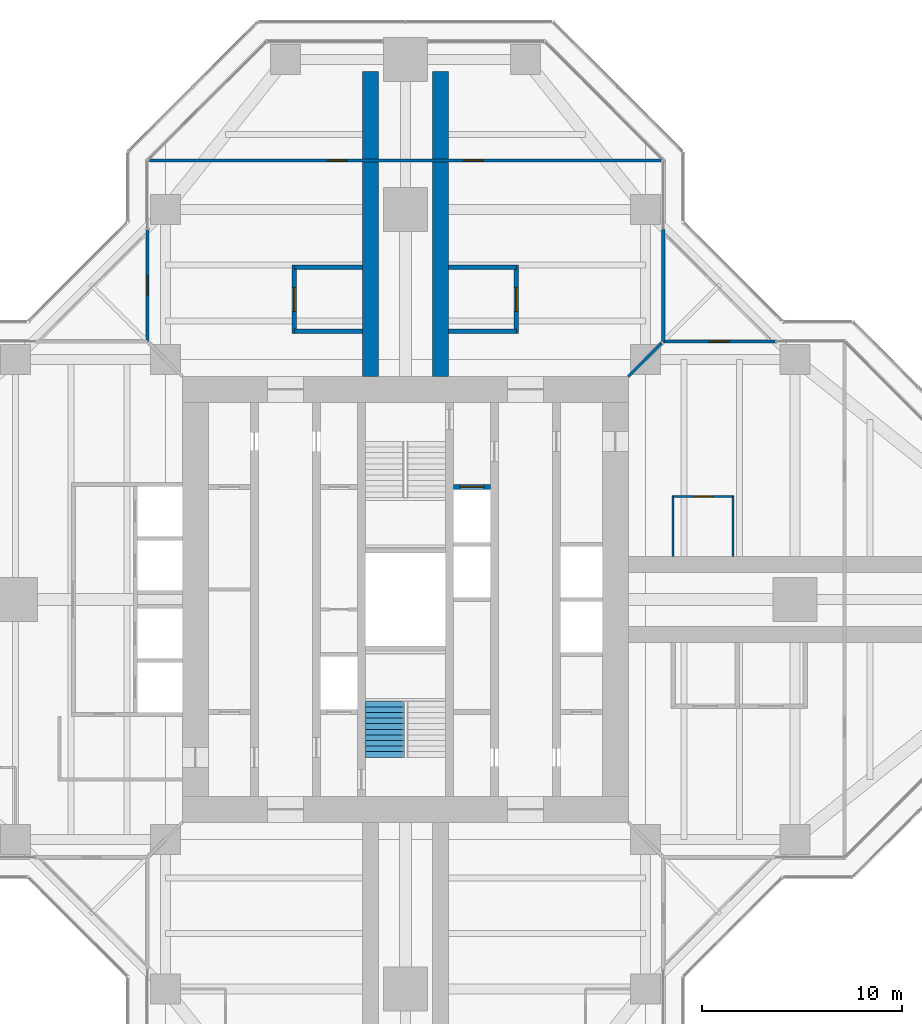
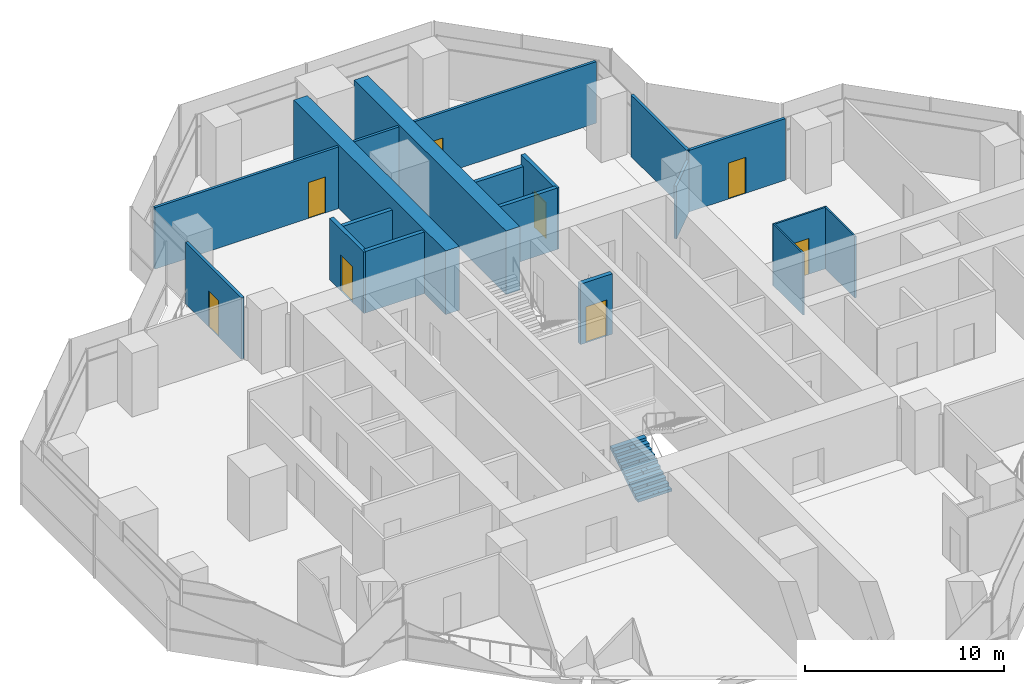
# One storey, part 15 of 17: 17 walls, 8 doors, 1 stair flight, 8 openings, 1 element without a shape of its own.
"""IFC4 building model written with IfcOpenShell, lengths in metres."""

from ifc_helpers import new_model, si_unit, direction, frame, frame_2d, origin, place, context, subcontext, project, spatial, polyline, rectangle, outline, extrude, material, layer, layer_set, type_object, element, fill, aggregate, save


model = new_model("IFC4")

# Units and contexts
model_context = context("Model", 3, precision=1e-05, world=origin(), true_north=direction((0.0, 1.0)))
body_context = subcontext(model_context, "Body", "Model", "MODEL_VIEW")
ifc_project = project(units=[si_unit("LENGTHUNIT", "METRE"), si_unit("AREAUNIT", "SQUARE_METRE"), si_unit("VOLUMEUNIT", "CUBIC_METRE"), si_unit("PLANEANGLEUNIT", "RADIAN"), si_unit("MASSUNIT", "GRAM", prefix="KILO")], contexts=[model_context])

# Site, building, storey
site_placement = place(None, origin())
site = spatial("IfcSite", under=ifc_project, at=site_placement, CompositionType="ELEMENT")
building_placement = place(site_placement, origin())
building = spatial("IfcBuilding", under=site, at=building_placement, Name="Mizan Broadcast Tower", CompositionType="ELEMENT")
storey_placement = place(building_placement, frame((0.0, 0.0, 232.199951171875)))
storey = spatial("IfcBuildingStorey", under=building, at=storey_placement, Name="L54", CompositionType="ELEMENT", Elevation=232.199951171875)

# Wall, opening, door
ifc_material_1 = material(Name="Aluminium framed glazed screen", Category="aluminium")
ifc_layer_1 = layer(ifc_material_1, 0.159912109375)
ifc_layer_set_1 = layer_set([ifc_layer_1], Name="Aluminium framed glazed screen")
wall_type_1 = type_object("IfcWallType", Name="GLAZED SCREEN WALL 160", PredefinedType="SOLIDWALL", material=ifc_layer_set_1)
wall_1_placement = place(storey_placement, frame((18.5, 12.89990234375, 0.0), z_axis=(0.0, 0.0, 1.0), x_axis=(-1.0, 0.0, 0.0)))
wall_1 = element("IfcWall", 1, at=wall_1_placement, inside=storey, type_object=wall_type_1, Name="Winter garden screen L54 E", PredefinedType="SOLIDWALL", context=body_context, shape_type="SweptSolid", body=[
    extrude(rectangle(XDim=5.60009765625, YDim=0.159912109375, at=frame_2d((2.800048828125, 0.0))), origin(), (0.0, 0.0, 1.0), 3.77001953125),
])
opening_1_placement = place(wall_1_placement, frame((2.300048828125, 0.0, 0.0)))
opening_1 = element("IfcOpeningElement", 2, at=opening_1_placement, cuts=wall_1, Name="Opening WGD", PredefinedType="OPENING", context=body_context, shape_type="SweptSolid", body=[
    extrude(rectangle(XDim=1.0, YDim=2.199951171875, at=frame_2d((0.5, 1.10009765625))), frame((0.0, 0.08984375, 0.0), z_axis=(0.0, -1.0, 0.0), x_axis=(1.0, 0.0, 0.0)), (0.0, 0.0, 1.0), 0.179931640625),
])
ifc_material_2 = material(Name="Aluminium framed glazed door", Category="aluminium")
door_type_1 = type_object("IfcDoorType", Name="WINTER GARDEN DOOR 1000 GLAZED", OperationType="SINGLE_SWING_LEFT", PredefinedType="DOOR", material=ifc_material_2)
door_1_placement = place(opening_1_placement, origin())
door_1 = element("IfcDoor", 3, at=door_1_placement, inside=storey, type_object=door_type_1, Name="Winter garden door L54 E", OperationType="SINGLE_SWING_RIGHT", OverallHeight=2.199951171875, OverallWidth=1.0, PredefinedType="DOOR", context=body_context, shape_type="SweptSolid", body=[
    extrude(rectangle(XDim=1.0, YDim=2.199951171875, at=frame_2d((0.5, 1.10009765625))), frame((0.0, 0.02490234375, 0.0), z_axis=(0.0, -1.0, 0.0), x_axis=(1.0, 0.0, 0.0)), (0.0, 0.0, 1.0), 0.050048828125),
])
fill(opening_1, door_1)

# Wall
wall_2_placement = place(storey_placement, frame((12.89990234375, 12.89990234375, 0.0), z_axis=(0.0, 0.0, 1.0), x_axis=(0.0, 1.0, 0.0)))
element("IfcWall", 4, at=wall_2_placement, inside=storey, type_object=wall_type_1, Name="Winter garden screen L54 N", PredefinedType="SOLIDWALL", context=body_context, shape_type="SweptSolid", body=[
    extrude(rectangle(XDim=5.60009765625, YDim=0.159912109375, at=frame_2d((2.800048828125, 0.0))), origin(), (0.0, 0.0, 1.0), 3.77001953125),
])

# Wall, opening, door
wall_3_placement = place(storey_placement, frame((-12.89990234375, 18.5, 0.0), z_axis=(0.0, 0.0, 1.0), x_axis=(0.0, -1.0, 0.0)))
wall_3 = element("IfcWall", 5, at=wall_3_placement, inside=storey, type_object=wall_type_1, Name="Winter garden screen L54 N", PredefinedType="SOLIDWALL", context=body_context, shape_type="SweptSolid", body=[
    extrude(rectangle(XDim=5.60009765625, YDim=0.159912109375, at=frame_2d((2.800048828125, 0.0))), origin(), (0.0, 0.0, 1.0), 3.77001953125),
])
opening_2_placement = place(wall_3_placement, frame((2.300048828125, 0.0, 0.0)))
opening_2 = element("IfcOpeningElement", 6, at=opening_2_placement, cuts=wall_3, Name="Opening WGD", PredefinedType="OPENING", context=body_context, shape_type="SweptSolid", body=[
    extrude(rectangle(XDim=1.0, YDim=2.199951171875, at=frame_2d((0.5, 1.10009765625))), frame((0.0, 0.08984375, 0.0), z_axis=(0.0, -1.0, 0.0), x_axis=(1.0, 0.0, 0.0)), (0.0, 0.0, 1.0), 0.179931640625),
])
door_2_placement = place(opening_2_placement, origin())
door_2 = element("IfcDoor", 7, at=door_2_placement, inside=storey, type_object=door_type_1, Name="Winter garden door L54 N", OperationType="SINGLE_SWING_RIGHT", OverallHeight=2.199951171875, OverallWidth=1.0, PredefinedType="DOOR", context=body_context, shape_type="SweptSolid", body=[
    extrude(rectangle(XDim=1.0, YDim=2.199951171875, at=frame_2d((0.5, 1.10009765625))), frame((0.0, 0.02490234375, 0.0), z_axis=(0.0, -1.0, 0.0), x_axis=(1.0, 0.0, 0.0)), (0.0, 0.0, 1.0), 0.050048828125),
])
fill(opening_2, door_2)

ifc_material_3 = material(Name="Concrete blockwork", Category="masonry")
ifc_layer_2 = layer(ifc_material_3, 0.25)
ifc_layer_set_2 = layer_set([ifc_layer_2], Name="Concrete blockwork")
wall_type_2 = type_object("IfcWallType", Name="LOBBY ENCLOSURE WALL 250", PredefinedType="SOLIDWALL", material=ifc_layer_set_2)
wall_4_placement = place(storey_placement, frame((2.39990234375, 5.625, 0.0), z_axis=(0.0, 0.0, 1.0), x_axis=(1.0, 0.0, 0.0)))
wall_4 = element("IfcWall", 8, at=wall_4_placement, inside=storey, type_object=wall_type_2, Name="Lobby enclosure wall CORE/BE2N", PredefinedType="SOLIDWALL", context=body_context, shape_type="SweptSolid", body=[
    extrude(rectangle(XDim=1.85009765625, YDim=0.25, at=frame_2d((0.925048828125, 0.0))), origin(), (0.0, 0.0, 1.0), 3.699951171875),
])
opening_3_placement = place(wall_4_placement, frame((0.324951171875, 0.0, 0.0)))
opening_3 = element("IfcOpeningElement", 9, at=opening_3_placement, cuts=wall_4, Name="Opening LDF", PredefinedType="OPENING", context=body_context, shape_type="SweptSolid", body=[
    extrude(rectangle(XDim=1.199951171875, YDim=2.199951171875, at=frame_2d((0.60009765625, 1.10009765625))), frame((0.0, 0.135009765625, 0.0), z_axis=(0.0, -1.0, 0.0), x_axis=(1.0, 0.0, 0.0)), (0.0, 0.0, 1.0), 0.27001953125),
])
ifc_material_4 = material(Name="Steel door leaf in steel frame", Category="steel")
door_type_2 = type_object("IfcDoorType", Name="FIREFIGHTING LIFT LANDING DOOR 1200", OperationType="SLIDING_TO_LEFT", PredefinedType="DOOR", material=ifc_material_4)
door_3_placement = place(opening_3_placement, origin())
door_3 = element("IfcDoor", 10, at=door_3_placement, inside=storey, type_object=door_type_2, Name="Landing door FF2", OperationType="SLIDING_TO_LEFT", OverallHeight=2.199951171875, OverallWidth=1.199951171875, PredefinedType="DOOR", context=body_context, shape_type="SweptSolid", body=[
    extrude(rectangle(XDim=1.199951171875, YDim=2.199951171875, at=frame_2d((0.60009765625, 1.10009765625))), frame((0.0, 0.02490234375, 0.0), z_axis=(0.0, -1.0, 0.0), x_axis=(1.0, 0.0, 0.0)), (0.0, 0.0, 1.0), 0.050048828125),
])
fill(opening_3, door_3)

# Wall, openings, doors
ifc_material_5 = material(Name="Gypsum board on steel studs", Category="steel")
ifc_layer_3 = layer(ifc_material_5, 0.14990234375)
ifc_layer_set_3 = layer_set([ifc_layer_3], Name="Gypsum board on steel studs")
wall_type_3 = type_object("IfcWallType", Name="PARTITION 150", PredefinedType="PARTITIONING", material=ifc_layer_set_3)
wall_5_placement = place(storey_placement, frame((12.786376953125, 21.958984375, 0.0), z_axis=(0.0, 0.0, 1.0), x_axis=(-1.0, 0.0, 0.0)))
wall_5 = element("IfcWall", 11, at=wall_5_placement, inside=storey, type_object=wall_type_3, Name="Partition PT/NX1", PredefinedType="PARTITIONING", context=body_context, shape_type="SweptSolid", body=[
    extrude(rectangle(XDim=25.57275390625, YDim=0.14990234375, at=frame_2d((12.786376953125, 0.0))), origin(), (0.0, 0.0, 1.0), 3.77001953125),
])
opening_4_placement = place(wall_5_placement, frame((15.6865234375, 0.0, 0.0)))
opening_4 = element("IfcOpeningElement", 12, at=opening_4_placement, cuts=wall_5, Name="Opening D10", PredefinedType="OPENING", context=body_context, shape_type="SweptSolid", body=[
    extrude(rectangle(XDim=1.0, YDim=2.199951171875, at=frame_2d((0.5, 1.10009765625))), frame((0.0, 0.0849609375, 0.0), z_axis=(0.0, -1.0, 0.0), x_axis=(1.0, 0.0, 0.0)), (0.0, 0.0, 1.0), 0.169921875),
])
opening_5_placement = place(wall_5_placement, frame((8.886474609375, 0.0, 0.0)))
opening_5 = element("IfcOpeningElement", 13, at=opening_5_placement, cuts=wall_5, Name="Opening D10", PredefinedType="OPENING", context=body_context, shape_type="SweptSolid", body=[
    extrude(rectangle(XDim=1.0, YDim=2.199951171875, at=frame_2d((0.5, 1.10009765625))), frame((0.0, 0.0849609375, 0.0), z_axis=(0.0, -1.0, 0.0), x_axis=(1.0, 0.0, 0.0)), (0.0, 0.0, 1.0), 0.169921875),
])
ifc_material_6 = material(Name="Timber door leaf in aluminium frame", Category="wood")
door_type_3 = type_object("IfcDoorType", Name="ROOM DOOR 1000", OperationType="SINGLE_SWING_LEFT", PredefinedType="DOOR", material=ifc_material_6)
door_4_placement = place(opening_4_placement, origin())
door_4 = element("IfcDoor", 14, at=door_4_placement, inside=storey, type_object=door_type_3, Name="Screening room door", OperationType="SINGLE_SWING_RIGHT", OverallHeight=2.199951171875, OverallWidth=1.0, PredefinedType="DOOR", context=body_context, shape_type="SweptSolid", body=[
    extrude(rectangle(XDim=1.0, YDim=2.199951171875, at=frame_2d((0.5, 1.10009765625))), frame((0.0, 0.02490234375, 0.0), z_axis=(0.0, -1.0, 0.0), x_axis=(1.0, 0.0, 0.0)), (0.0, 0.0, 1.0), 0.050048828125),
])
fill(opening_4, door_4)
door_5_placement = place(opening_5_placement, origin())
door_5 = element("IfcDoor", 15, at=door_5_placement, inside=storey, type_object=door_type_3, Name="Screening room door", OperationType="SINGLE_SWING_LEFT", OverallHeight=2.199951171875, OverallWidth=1.0, PredefinedType="DOOR", context=body_context, shape_type="SweptSolid", body=[
    extrude(rectangle(XDim=1.0, YDim=2.199951171875, at=frame_2d((0.5, 1.10009765625))), frame((0.0, 0.02490234375, 0.0), z_axis=(0.0, -1.0, 0.0), x_axis=(1.0, 0.0, 0.0)), (0.0, 0.0, 1.0), 0.050048828125),
])
fill(opening_5, door_5)

# Walls
wall_6_placement = place(storey_placement, frame((11.14990234375, 11.14990234375, 0.0), z_axis=(0.0, 0.0, 1.0), x_axis=(0.707106781187, 0.707106781187, 0.0)))
element("IfcWall", 16, at=wall_6_placement, inside=storey, type_object=wall_type_3, Name="Partition PT/DGEN", PredefinedType="PARTITIONING", context=body_context, shape_type="SweptSolid", body=[
    extrude(rectangle(XDim=2.362060546875, YDim=0.14990234375, at=frame_2d((1.18115234375, 0.0))), origin(), (0.0, 0.0, 1.0), 3.219970703125),
])
ifc_material_7 = material(Name="Twin steel stud acoustic partition, four layers of gypsum board", Category="steel")
ifc_layer_4 = layer(ifc_material_7, 0.22509765625)
ifc_layer_set_4 = layer_set([ifc_layer_4], Name="Twin steel stud acoustic partition, four layers of gypsum board")
wall_type_4 = type_object("IfcWallType", Name="PARTITION ACOUSTIC 225", PredefinedType="PARTITIONING", material=ifc_layer_set_4)
wall_7_placement = place(storey_placement, frame((-2.14990234375, 13.39990234375, 0.0), z_axis=(0.0, 0.0, 1.0), x_axis=(-1.0, 0.0, 0.0)))
element("IfcWall", 17, at=wall_7_placement, inside=storey, type_object=wall_type_4, Name="Acoustic partition PT/NKP0a", PredefinedType="PARTITIONING", context=body_context, shape_type="SweptSolid", body=[
    extrude(rectangle(XDim=3.400146484375, YDim=0.22509765625, at=frame_2d((1.7001953125, 0.0))), origin(), (0.0, 0.0, 1.0), 3.77001953125),
])
wall_8_placement = place(storey_placement, frame((-2.14990234375, 16.60009765625, 0.0), z_axis=(0.0, 0.0, 1.0), x_axis=(-1.0, 0.0, 0.0)))
element("IfcWall", 18, at=wall_8_placement, inside=storey, type_object=wall_type_4, Name="Acoustic partition PT/NKP0b", PredefinedType="PARTITIONING", context=body_context, shape_type="SweptSolid", body=[
    extrude(rectangle(XDim=3.400146484375, YDim=0.22509765625, at=frame_2d((1.7001953125, 0.0))), origin(), (0.0, 0.0, 1.0), 3.179931640625),
])

# Wall, opening, door
wall_9_placement = place(storey_placement, frame((-5.550048828125, 13.28759765625, 0.0), z_axis=(0.0, 0.0, 1.0), x_axis=(0.0, 1.0, 0.0)))
wall_9 = element("IfcWall", 19, at=wall_9_placement, inside=storey, type_object=wall_type_4, Name="Acoustic partition PT/NKP0f", PredefinedType="PARTITIONING", context=body_context, shape_type="SweptSolid", body=[
    extrude(rectangle(XDim=3.4248046875, YDim=0.22509765625, at=frame_2d((1.71240234375, 0.0))), origin(), (0.0, 0.0, 1.0), 3.77001953125),
])
opening_6_placement = place(wall_9_placement, frame((1.112548828125, 0.0, 0.0)))
opening_6 = element("IfcOpeningElement", 20, at=opening_6_placement, cuts=wall_9, Name="Opening D12A", PredefinedType="OPENING", context=body_context, shape_type="SweptSolid", body=[
    extrude(rectangle(XDim=1.199951171875, YDim=2.199951171875, at=frame_2d((0.60009765625, 1.10009765625))), frame((0.0, 0.12255859375, 0.0), z_axis=(0.0, -1.0, 0.0), x_axis=(1.0, 0.0, 0.0)), (0.0, 0.0, 1.0), 0.2451171875),
])
ifc_material_8 = material(Name="Timber door leaf in aluminium frame", Category="wood")
door_type_4 = type_object("IfcDoorType", Name="ACOUSTIC DOOR 1200", OperationType="SINGLE_SWING_LEFT", PredefinedType="DOOR", material=ifc_material_8)
door_6_placement = place(opening_6_placement, origin())
door_6 = element("IfcDoor", 21, at=door_6_placement, inside=storey, type_object=door_type_4, Name="Edit suite door", OperationType="SINGLE_SWING_LEFT", OverallHeight=2.199951171875, OverallWidth=1.199951171875, PredefinedType="DOOR", context=body_context, shape_type="SweptSolid", body=[
    extrude(rectangle(XDim=1.199951171875, YDim=2.199951171875, at=frame_2d((0.60009765625, 1.10009765625))), frame((0.0, 0.02490234375, 0.0), z_axis=(0.0, -1.0, 0.0), x_axis=(1.0, 0.0, 0.0)), (0.0, 0.0, 1.0), 0.050048828125),
])
fill(opening_6, door_6)

# Walls
wall_10_placement = place(storey_placement, frame((2.14990234375, 13.39990234375, 0.0), z_axis=(0.0, 0.0, 1.0), x_axis=(1.0, 0.0, 0.0)))
element("IfcWall", 22, at=wall_10_placement, inside=storey, type_object=wall_type_4, Name="Acoustic partition PT/NKN0a", PredefinedType="PARTITIONING", context=body_context, shape_type="SweptSolid", body=[
    extrude(rectangle(XDim=3.400146484375, YDim=0.22509765625, at=frame_2d((1.7001953125, 0.0))), origin(), (0.0, 0.0, 1.0), 3.77001953125),
])
wall_11_placement = place(storey_placement, frame((2.14990234375, 16.60009765625, 0.0), z_axis=(0.0, 0.0, 1.0), x_axis=(1.0, 0.0, 0.0)))
element("IfcWall", 23, at=wall_11_placement, inside=storey, type_object=wall_type_4, Name="Acoustic partition PT/NKN0b", PredefinedType="PARTITIONING", context=body_context, shape_type="SweptSolid", body=[
    extrude(rectangle(XDim=3.400146484375, YDim=0.22509765625, at=frame_2d((1.7001953125, 0.0))), origin(), (0.0, 0.0, 1.0), 3.179931640625),
])

# Wall, opening, door
wall_12_placement = place(storey_placement, frame((5.550048828125, 13.28759765625, 0.0), z_axis=(0.0, 0.0, 1.0), x_axis=(0.0, 1.0, 0.0)))
wall_12 = element("IfcWall", 24, at=wall_12_placement, inside=storey, type_object=wall_type_4, Name="Acoustic partition PT/NKN0f", PredefinedType="PARTITIONING", context=body_context, shape_type="SweptSolid", body=[
    extrude(rectangle(XDim=3.4248046875, YDim=0.22509765625, at=frame_2d((1.71240234375, 0.0))), origin(), (0.0, 0.0, 1.0), 3.77001953125),
])
opening_7_placement = place(wall_12_placement, frame((1.112548828125, 0.0, 0.0)))
opening_7 = element("IfcOpeningElement", 25, at=opening_7_placement, cuts=wall_12, Name="Opening D12A", PredefinedType="OPENING", context=body_context, shape_type="SweptSolid", body=[
    extrude(rectangle(XDim=1.199951171875, YDim=2.199951171875, at=frame_2d((0.60009765625, 1.10009765625))), frame((0.0, 0.12255859375, 0.0), z_axis=(0.0, -1.0, 0.0), x_axis=(1.0, 0.0, 0.0)), (0.0, 0.0, 1.0), 0.2451171875),
])
door_7_placement = place(opening_7_placement, origin())
door_7 = element("IfcDoor", 26, at=door_7_placement, inside=storey, type_object=door_type_4, Name="Edit suite door", OperationType="SINGLE_SWING_LEFT", OverallHeight=2.199951171875, OverallWidth=1.199951171875, PredefinedType="DOOR", context=body_context, shape_type="SweptSolid", body=[
    extrude(rectangle(XDim=1.199951171875, YDim=2.199951171875, at=frame_2d((0.60009765625, 1.10009765625))), frame((0.0, 0.02490234375, 0.0), z_axis=(0.0, -1.0, 0.0), x_axis=(1.0, 0.0, 0.0)), (0.0, 0.0, 1.0), 0.050048828125),
])
fill(opening_7, door_7)

# Walls
ifc_material_9 = material(Name="Glazed aluminium partition on aluminium track", Category="aluminium")
ifc_layer_5 = layer(ifc_material_9, 0.10009765625)
ifc_layer_set_5 = layer_set([ifc_layer_5], Name="Glazed aluminium partition on aluminium track")
wall_type_5 = type_object("IfcWallType", Name="PARTITION GLAZED OFFICE FRONT 100", PredefinedType="PARTITIONING", material=ifc_layer_set_5)
for number, where, z_axis, x_axis, name in (
    (27, (13.39990234375, 2.14990234375, 0.0), (0.0, 0.0, 1.0), (0.0, 1.0, 0.0), "Glazed office front PT/EKP0a"),
    (28, (16.39990234375, 2.14990234375, 0.0), (0.0, 0.0, 1.0), (0.0, 1.0, 0.0), "Glazed office front PT/EKP0b"),
):
    element("IfcWall", number, at=place(storey_placement, frame(where, z_axis=z_axis, x_axis=x_axis)), inside=storey, type_object=wall_type_5, Name=name, PredefinedType="PARTITIONING", context=body_context, shape_type="SweptSolid", body=[
        extrude(rectangle(XDim=3.0, YDim=0.10009765625, at=frame_2d((1.5, 0.0))), origin(), (0.0, 0.0, 1.0), 3.77001953125),
    ])

# Wall, opening, door
wall_13_placement = place(storey_placement, frame((13.35009765625, 5.14990234375, 0.0), z_axis=(0.0, 0.0, 1.0), x_axis=(1.0, 0.0, 0.0)))
wall_13 = element("IfcWall", 29, at=wall_13_placement, inside=storey, type_object=wall_type_5, Name="Glazed office front PT/EKP0f", PredefinedType="PARTITIONING", context=body_context, shape_type="SweptSolid", body=[
    extrude(rectangle(XDim=3.099853515625, YDim=0.10009765625, at=frame_2d((1.5498046875, 0.0))), origin(), (0.0, 0.0, 1.0), 3.77001953125),
])
opening_8_placement = place(wall_13_placement, frame((1.050048828125, 0.0, 0.0)))
opening_8 = element("IfcOpeningElement", 30, at=opening_8_placement, cuts=wall_13, Name="Opening D10O", PredefinedType="OPENING", context=body_context, shape_type="SweptSolid", body=[
    extrude(rectangle(XDim=1.0, YDim=2.199951171875, at=frame_2d((0.5, 1.10009765625))), frame((0.0, 0.06005859375, 0.0), z_axis=(0.0, -1.0, 0.0), x_axis=(1.0, 0.0, 0.0)), (0.0, 0.0, 1.0), 0.1201171875),
])
ifc_material_10 = material(Name="Timber door leaf in aluminium frame", Category="wood")
door_type_5 = type_object("IfcDoorType", Name="OFFICE DOOR 1000 GLAZED", OperationType="SINGLE_SWING_LEFT", PredefinedType="DOOR", material=ifc_material_10)
door_8_placement = place(opening_8_placement, origin())
door_8 = element("IfcDoor", 31, at=door_8_placement, inside=storey, type_object=door_type_5, Name="Pantry door", OperationType="SINGLE_SWING_LEFT", OverallHeight=2.199951171875, OverallWidth=1.0, PredefinedType="DOOR", context=body_context, shape_type="SweptSolid", body=[
    extrude(rectangle(XDim=1.0, YDim=2.199951171875, at=frame_2d((0.5, 1.10009765625))), frame((0.0, 0.02490234375, 0.0), z_axis=(0.0, -1.0, 0.0), x_axis=(1.0, 0.0, 0.0)), (0.0, 0.0, 1.0), 0.050048828125),
])
fill(opening_8, door_8)

# Walls
ifc_material_11 = material(Name="Concrete C70/85", Category="concrete")
ifc_layer_6 = layer(ifc_material_11, 0.800048828125)
ifc_layer_set_6 = layer_set([ifc_layer_6], Name="Concrete C70/85")
wall_type_6 = type_object("IfcWallType", Name="SPINE WALL 800", PredefinedType="SHEAR", material=ifc_layer_set_6)
for number, where, z_axis, x_axis, name in (
    (32, (1.75, 11.14990234375, 0.0), (0.0, 0.0, 1.0), (0.0, 1.0, 0.0), "Spine wall NR L54"),
    (33, (-1.75, 11.14990234375, 0.0), (0.0, 0.0, 1.0), (0.0, 1.0, 0.0), "Spine wall NL L54"),
):
    element("IfcWall", number, at=place(storey_placement, frame(where, z_axis=z_axis, x_axis=x_axis)), inside=storey, type_object=wall_type_6, Name=name, PredefinedType="SHEAR", context=body_context, shape_type="SweptSolid", body=[
        extrude(rectangle(XDim=15.25, YDim=0.800048828125, at=frame_2d((7.625, 0.0))), origin(), (0.0, 0.0, 1.0), 3.900146484375),
    ])

# Stair, stair flight
ifc_material_12 = material(Name="Concrete C40/50", Category="concrete")
stair_type = type_object("IfcStairType", Name="EXIT STAIR", PredefinedType="HALF_TURN_STAIR", material=ifc_material_12)
stair_placement = place(storey_placement, origin())
stair = element("IfcStair", 34, at=stair_placement, inside=storey, type_object=stair_type, Name="Stair A L54", PredefinedType="HALF_TURN_STAIR")
ifc_material_13 = material(Name="Concrete C40/50", Category="concrete")
stair_flight_type = type_object("IfcStairFlightType", Name="EXIT STAIR FLIGHT", PredefinedType="STRAIGHT", material=ifc_material_13)
stair_flight_placement = place(storey_placement, frame((-1.02490234375, -7.89990234375, 0.0), z_axis=(0.0, 0.0, 1.0), x_axis=(0.0, 1.0, 0.0)))
stair_flight = element("IfcStairFlight", 35, at=stair_flight_placement, type_object=stair_flight_type, Name="A flight 1", NumberOfRisers=11, NumberOfTreads=10, PredefinedType="STRAIGHT", RiserHeight=0.177272727, TreadLength=0.28, context=body_context, shape_type="SweptSolid", body=[
    extrude(outline(polyline([(0.0, 0.0), (0.0, 0.17724609375), (0.280029296875, 0.17724609375), (0.280029296875, 0.3544921875), (0.56005859375, 0.3544921875), (0.56005859375, 0.53173828125), (0.840087890625, 0.53173828125), (0.840087890625, 0.708984375), (1.1201171875, 0.708984375), (1.1201171875, 0.886474609375), (1.39990234375, 0.886474609375), (1.39990234375, 1.063720703125), (1.679931640625, 1.063720703125), (1.679931640625, 1.240966796875), (1.9599609375, 1.240966796875), (1.9599609375, 1.418212890625), (2.239990234375, 1.418212890625), (2.239990234375, 1.595458984375), (2.52001953125, 1.595458984375), (2.52001953125, 1.772705078125), (2.800048828125, 1.772705078125), (2.800048828125, 1.949951171875), (2.800048828125, 1.59521484375), (0.2802734375, 0.0), (0.0, 0.0)])), frame((0.0, 0.97509765625, 0.0), z_axis=(0.0, -1.0, 0.0), x_axis=(1.0, 0.0, 0.0)), (0.0, 0.0, 1.0), 0.4873046875),
    extrude(outline(polyline([(0.0, 0.0), (0.0, 0.17724609375), (0.280029296875, 0.17724609375), (0.280029296875, 0.3544921875), (0.56005859375, 0.3544921875), (0.56005859375, 0.53173828125), (0.840087890625, 0.53173828125), (0.840087890625, 0.708984375), (1.1201171875, 0.708984375), (1.1201171875, 0.886474609375), (1.39990234375, 0.886474609375), (1.39990234375, 1.063720703125), (1.679931640625, 1.063720703125), (1.679931640625, 1.240966796875), (1.9599609375, 1.240966796875), (1.9599609375, 1.418212890625), (2.239990234375, 1.418212890625), (2.239990234375, 1.595458984375), (2.52001953125, 1.595458984375), (2.52001953125, 1.772705078125), (2.800048828125, 1.772705078125), (2.800048828125, 1.949951171875), (2.800048828125, 1.59521484375), (0.2802734375, 0.0), (0.0, 0.0)])), frame((0.0, 0.4873046875, 0.0), z_axis=(0.0, -1.0, 0.0), x_axis=(1.0, 0.0, 0.0)), (0.0, 0.0, 1.0), 0.2431640625),
    extrude(outline(polyline([(0.0, 0.0), (0.0, 0.17724609375), (0.280029296875, 0.17724609375), (0.280029296875, 0.3544921875), (0.56005859375, 0.3544921875), (0.56005859375, 0.53173828125), (0.840087890625, 0.53173828125), (0.840087890625, 0.708984375), (1.1201171875, 0.708984375), (1.1201171875, 0.886474609375), (1.39990234375, 0.886474609375), (1.39990234375, 1.063720703125), (1.679931640625, 1.063720703125), (1.679931640625, 1.240966796875), (1.9599609375, 1.240966796875), (1.9599609375, 1.418212890625), (2.239990234375, 1.418212890625), (2.239990234375, 1.595458984375), (2.52001953125, 1.595458984375), (2.52001953125, 1.772705078125), (2.800048828125, 1.772705078125), (2.800048828125, 1.949951171875), (2.800048828125, 1.59521484375), (0.2802734375, 0.0), (0.0, 0.0)])), frame((0.0, 0.24365234375, 0.0), z_axis=(0.0, -1.0, 0.0), x_axis=(1.0, 0.0, 0.0)), (0.0, 0.0, 1.0), 0.121337890625),
    extrude(outline(polyline([(0.0, 0.0), (0.0, 0.17724609375), (0.280029296875, 0.17724609375), (0.280029296875, 0.3544921875), (0.56005859375, 0.3544921875), (0.56005859375, 0.53173828125), (0.840087890625, 0.53173828125), (0.840087890625, 0.708984375), (1.1201171875, 0.708984375), (1.1201171875, 0.886474609375), (1.39990234375, 0.886474609375), (1.39990234375, 1.063720703125), (1.679931640625, 1.063720703125), (1.679931640625, 1.240966796875), (1.9599609375, 1.240966796875), (1.9599609375, 1.418212890625), (2.239990234375, 1.418212890625), (2.239990234375, 1.595458984375), (2.52001953125, 1.595458984375), (2.52001953125, 1.772705078125), (2.800048828125, 1.772705078125), (2.800048828125, 1.949951171875), (2.800048828125, 1.59521484375), (0.2802734375, 0.0), (0.0, 0.0)])), frame((0.0, 0.121826171875, 0.0), z_axis=(0.0, -1.0, 0.0), x_axis=(1.0, 0.0, 0.0)), (0.0, 0.0, 1.0), 0.060546875),
    extrude(outline(polyline([(0.0, 0.0), (0.0, 0.17724609375), (0.280029296875, 0.17724609375), (0.280029296875, 0.3544921875), (0.56005859375, 0.3544921875), (0.56005859375, 0.53173828125), (0.840087890625, 0.53173828125), (0.840087890625, 0.708984375), (1.1201171875, 0.708984375), (1.1201171875, 0.886474609375), (1.39990234375, 0.886474609375), (1.39990234375, 1.063720703125), (1.679931640625, 1.063720703125), (1.679931640625, 1.240966796875), (1.9599609375, 1.240966796875), (1.9599609375, 1.418212890625), (2.239990234375, 1.418212890625), (2.239990234375, 1.595458984375), (2.52001953125, 1.595458984375), (2.52001953125, 1.772705078125), (2.800048828125, 1.772705078125), (2.800048828125, 1.949951171875), (2.800048828125, 1.59521484375), (0.2802734375, 0.0), (0.0, 0.0)])), frame((0.0, 0.060791015625, 0.0), z_axis=(0.0, -1.0, 0.0), x_axis=(1.0, 0.0, 0.0)), (0.0, 0.0, 1.0), 0.030029296875),
    extrude(outline(polyline([(0.0, 0.0), (0.0, 0.17724609375), (0.280029296875, 0.17724609375), (0.280029296875, 0.3544921875), (0.56005859375, 0.3544921875), (0.56005859375, 0.53173828125), (0.840087890625, 0.53173828125), (0.840087890625, 0.708984375), (1.1201171875, 0.708984375), (1.1201171875, 0.886474609375), (1.39990234375, 0.886474609375), (1.39990234375, 1.063720703125), (1.679931640625, 1.063720703125), (1.679931640625, 1.240966796875), (1.9599609375, 1.240966796875), (1.9599609375, 1.418212890625), (2.239990234375, 1.418212890625), (2.239990234375, 1.595458984375), (2.52001953125, 1.595458984375), (2.52001953125, 1.772705078125), (2.800048828125, 1.772705078125), (2.800048828125, 1.949951171875), (2.800048828125, 1.59521484375), (0.2802734375, 0.0), (0.0, 0.0)])), frame((0.0, 0.0302734375, 0.0), z_axis=(0.0, -1.0, 0.0), x_axis=(1.0, 0.0, 0.0)), (0.0, 0.0, 1.0), 0.060302734375),
    extrude(outline(polyline([(0.0, 0.0), (0.0, 0.17724609375), (0.280029296875, 0.17724609375), (0.280029296875, 0.3544921875), (0.56005859375, 0.3544921875), (0.56005859375, 0.53173828125), (0.840087890625, 0.53173828125), (0.840087890625, 0.708984375), (1.1201171875, 0.708984375), (1.1201171875, 0.886474609375), (1.39990234375, 0.886474609375), (1.39990234375, 1.063720703125), (1.679931640625, 1.063720703125), (1.679931640625, 1.240966796875), (1.9599609375, 1.240966796875), (1.9599609375, 1.418212890625), (2.239990234375, 1.418212890625), (2.239990234375, 1.595458984375), (2.52001953125, 1.595458984375), (2.52001953125, 1.772705078125), (2.800048828125, 1.772705078125), (2.800048828125, 1.949951171875), (2.800048828125, 1.59521484375), (0.2802734375, 0.0), (0.0, 0.0)])), frame((0.0, -0.030517578125, 0.0), z_axis=(0.0, -1.0, 0.0), x_axis=(1.0, 0.0, 0.0)), (0.0, 0.0, 1.0), 0.030029296875),
    extrude(outline(polyline([(0.0, 0.0), (0.0, 0.17724609375), (0.280029296875, 0.17724609375), (0.280029296875, 0.3544921875), (0.56005859375, 0.3544921875), (0.56005859375, 0.53173828125), (0.840087890625, 0.53173828125), (0.840087890625, 0.708984375), (1.1201171875, 0.708984375), (1.1201171875, 0.886474609375), (1.39990234375, 0.886474609375), (1.39990234375, 1.063720703125), (1.679931640625, 1.063720703125), (1.679931640625, 1.240966796875), (1.9599609375, 1.240966796875), (1.9599609375, 1.418212890625), (2.239990234375, 1.418212890625), (2.239990234375, 1.595458984375), (2.52001953125, 1.595458984375), (2.52001953125, 1.772705078125), (2.800048828125, 1.772705078125), (2.800048828125, 1.949951171875), (2.800048828125, 1.59521484375), (0.2802734375, 0.0), (0.0, 0.0)])), frame((0.0, -0.06103515625, 0.0), z_axis=(0.0, -1.0, 0.0), x_axis=(1.0, 0.0, 0.0)), (0.0, 0.0, 1.0), 0.060546875),
    extrude(outline(polyline([(0.0, 0.0), (0.0, 0.17724609375), (0.280029296875, 0.17724609375), (0.280029296875, 0.3544921875), (0.56005859375, 0.3544921875), (0.56005859375, 0.53173828125), (0.840087890625, 0.53173828125), (0.840087890625, 0.708984375), (1.1201171875, 0.708984375), (1.1201171875, 0.886474609375), (1.39990234375, 0.886474609375), (1.39990234375, 1.063720703125), (1.679931640625, 1.063720703125), (1.679931640625, 1.240966796875), (1.9599609375, 1.240966796875), (1.9599609375, 1.418212890625), (2.239990234375, 1.418212890625), (2.239990234375, 1.595458984375), (2.52001953125, 1.595458984375), (2.52001953125, 1.772705078125), (2.800048828125, 1.772705078125), (2.800048828125, 1.949951171875), (2.800048828125, 1.59521484375), (0.2802734375, 0.0), (0.0, 0.0)])), frame((0.0, -0.1220703125, 0.0), z_axis=(0.0, -1.0, 0.0), x_axis=(1.0, 0.0, 0.0)), (0.0, 0.0, 1.0), 0.121337890625),
    extrude(outline(polyline([(0.0, 0.0), (0.0, 0.17724609375), (0.280029296875, 0.17724609375), (0.280029296875, 0.3544921875), (0.56005859375, 0.3544921875), (0.56005859375, 0.53173828125), (0.840087890625, 0.53173828125), (0.840087890625, 0.708984375), (1.1201171875, 0.708984375), (1.1201171875, 0.886474609375), (1.39990234375, 0.886474609375), (1.39990234375, 1.063720703125), (1.679931640625, 1.063720703125), (1.679931640625, 1.240966796875), (1.9599609375, 1.240966796875), (1.9599609375, 1.418212890625), (2.239990234375, 1.418212890625), (2.239990234375, 1.595458984375), (2.52001953125, 1.595458984375), (2.52001953125, 1.772705078125), (2.800048828125, 1.772705078125), (2.800048828125, 1.949951171875), (2.800048828125, 1.59521484375), (0.2802734375, 0.0), (0.0, 0.0)])), frame((0.0, -0.243896484375, 0.0), z_axis=(0.0, -1.0, 0.0), x_axis=(1.0, 0.0, 0.0)), (0.0, 0.0, 1.0), 0.2431640625),
    extrude(outline(polyline([(0.0, 0.0), (0.0, 0.17724609375), (0.280029296875, 0.17724609375), (0.280029296875, 0.3544921875), (0.56005859375, 0.3544921875), (0.56005859375, 0.53173828125), (0.840087890625, 0.53173828125), (0.840087890625, 0.708984375), (1.1201171875, 0.708984375), (1.1201171875, 0.886474609375), (1.39990234375, 0.886474609375), (1.39990234375, 1.063720703125), (1.679931640625, 1.063720703125), (1.679931640625, 1.240966796875), (1.9599609375, 1.240966796875), (1.9599609375, 1.418212890625), (2.239990234375, 1.418212890625), (2.239990234375, 1.595458984375), (2.52001953125, 1.595458984375), (2.52001953125, 1.772705078125), (2.800048828125, 1.772705078125), (2.800048828125, 1.949951171875), (2.800048828125, 1.59521484375), (0.2802734375, 0.0), (0.0, 0.0)])), frame((0.0, -0.487548828125, 0.0), z_axis=(0.0, -1.0, 0.0), x_axis=(1.0, 0.0, 0.0)), (0.0, 0.0, 1.0), 0.4873046875),
])
aggregate(stair, [stair_flight])

save(model, "model.ifc")
